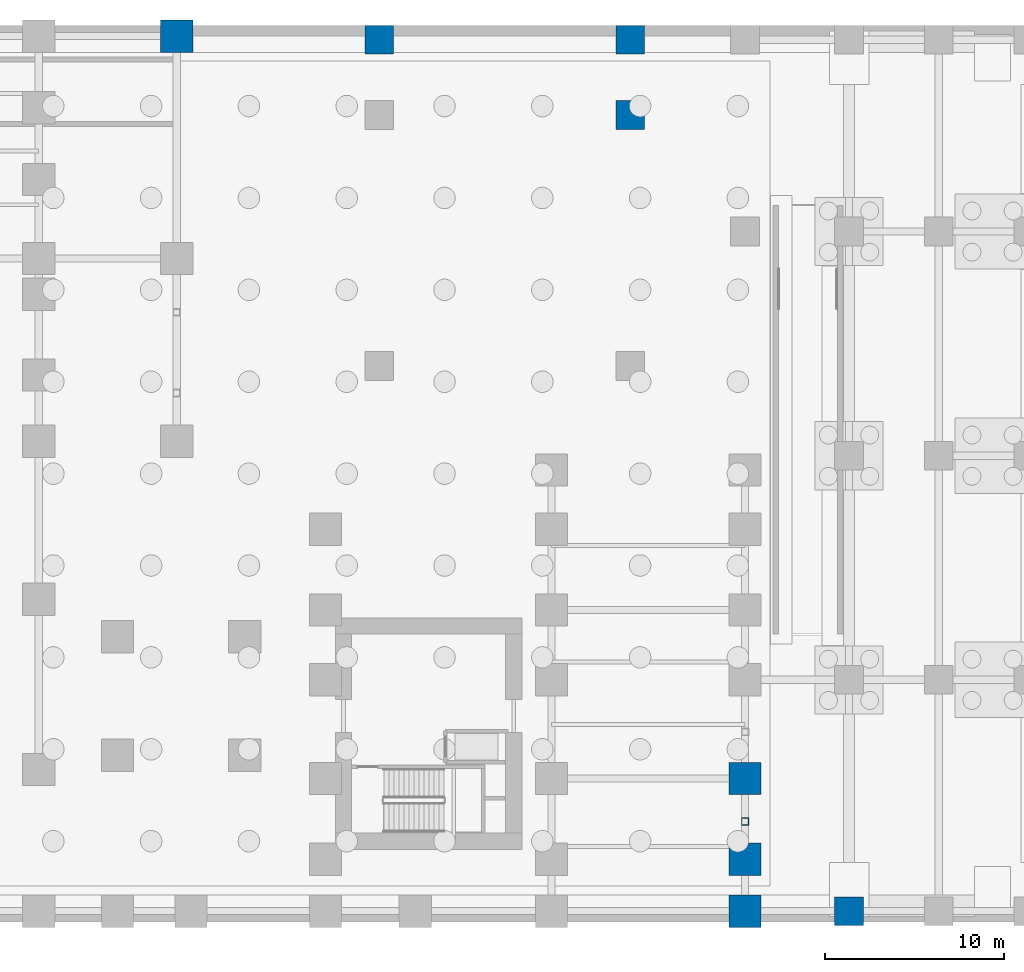
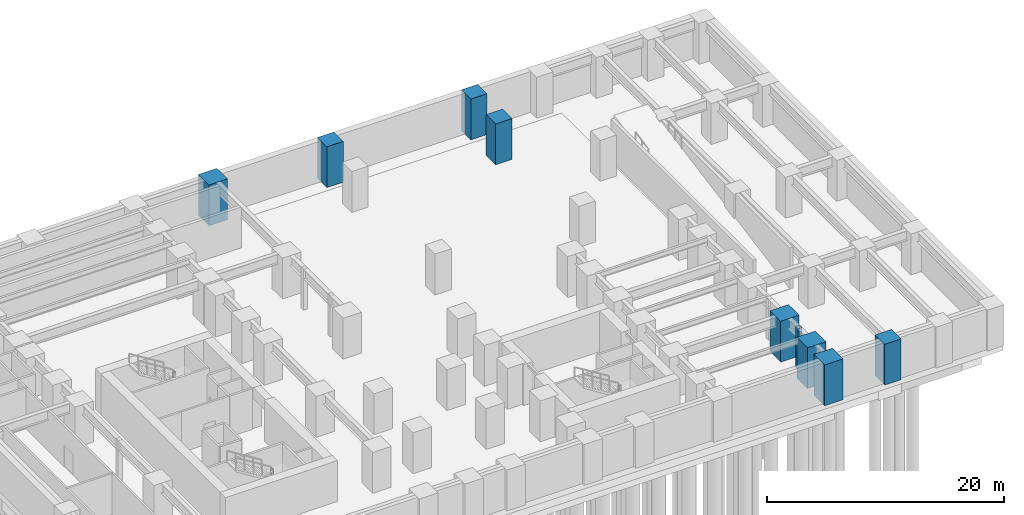
# One storey, part 6 of 15: 9 columns.
"""IFC4 building model written with IfcOpenShell, lengths in metres."""

import ifcopenshell
import ifcopenshell.guid

model = None  # the IFC model being written
_history = None  # IfcOwnerHistory: only IFC2X3 demands one
_inside = {}  # id of a spatial element -> (the spatial element, [elements in it])
_under = {}  # id of a project, library or spatial element -> (it, [spatial elements below it])
_declared = {}  # id of a project -> (the project, [libraries it declares])
_typed = {}  # id of a type object -> (the type object, [elements of that type])
_made_of = {}  # id of a material, layer set ... -> (it, [elements and type objects made of it])


def new_model(schema):
    """Start an empty IFC model of exactly this schema.

    Asked for "IFC4X3", IfcOpenShell would pick the latest addendum, in which some entities
    have other attributes; the version numbers below select the first issue.
    IFC2X3 requires an IfcOwnerHistory on every rooted entity: one is made here for all.
    """
    global model, _history
    if schema == "IFC4X3":
        model = ifcopenshell.file(schema_version=(4, 3, 0, 0))
    else:
        model = ifcopenshell.file(schema=schema)
    _inside.clear()
    _under.clear()
    _declared.clear()
    _typed.clear()
    _made_of.clear()
    _history = None
    if model.schema == "IFC2X3":
        org = make("IfcOrganization", Name="unknown")
        user = make(
            "IfcPersonAndOrganization",
            ThePerson=make("IfcPerson", FamilyName="unknown"),
            TheOrganization=org,
        )
        app = make(
            "IfcApplication",
            ApplicationDeveloper=org,
            Version="unknown",
            ApplicationFullName="unknown",
            ApplicationIdentifier="unknown",
        )
        _history = make(
            "IfcOwnerHistory",
            OwningUser=user,
            OwningApplication=app,
            ChangeAction="ADDED",
            CreationDate=0,
        )
    return model


def make(cls, **values):
    """One entity of the class cls with the attributes given. An attribute that is None is left unset."""
    return model.create_entity(
        cls, **{name: value for name, value in values.items() if value is not None}
    )


def rooted(cls, **values):
    """An entity with a GlobalId (a new one), such as an element, a storey or a relation."""
    return make(cls, GlobalId=ifcopenshell.guid.new(), OwnerHistory=_history, **values)


def si_unit(unit_type, name, prefix=None):
    """IfcSIUnit, for example si_unit("LENGTHUNIT", "METRE", prefix="MILLI")."""
    return make("IfcSIUnit", UnitType=unit_type, Prefix=prefix, Name=name)


def assignment(units):
    """IfcUnitAssignment: the units of a project."""
    return None if units is None else make("IfcUnitAssignment", Units=units)


def point(xyz):
    """IfcCartesianPoint."""
    return None if xyz is None else make("IfcCartesianPoint", Coordinates=xyz)


def direction(xyz):
    """IfcDirection."""
    return None if xyz is None else make("IfcDirection", DirectionRatios=xyz)


def frame(location, z_axis=None, x_axis=None):
    """IfcAxis2Placement3D, a coordinate frame: its origin and axes. An axis left out is left unset."""
    return make(
        "IfcAxis2Placement3D",
        Location=point(location),
        Axis=direction(z_axis),
        RefDirection=direction(x_axis),
    )


def frame_2d(location, x_axis=None):
    """IfcAxis2Placement2D, a coordinate frame in the plane: its origin and x axis."""
    return make(
        "IfcAxis2Placement2D", Location=point(location), RefDirection=direction(x_axis)
    )


def origin():
    """The frame at (0, 0, 0) with its axes left unset."""
    return frame((0.0, 0.0, 0.0))


def origin_2d():
    """The frame at (0, 0) in the plane with its x axis left unset."""
    return frame_2d((0.0, 0.0))


def place(relative_to, where):
    """IfcLocalPlacement: puts the frame where relative to a parent placement (None: the world)."""
    return make(
        "IfcLocalPlacement", PlacementRelTo=relative_to, RelativePlacement=where
    )


def context(
    kind, dimensions, precision=None, world=None, true_north=None, identifier=None
):
    """IfcGeometricRepresentationContext, for example the 3D "Model" context."""
    return make(
        "IfcGeometricRepresentationContext",
        ContextIdentifier=identifier,
        ContextType=kind,
        CoordinateSpaceDimension=dimensions,
        Precision=precision,
        WorldCoordinateSystem=world,
        TrueNorth=true_north,
    )


def subcontext(parent, identifier, kind, view, scale=None):
    """IfcGeometricRepresentationSubContext, for example "Body" below "Model"."""
    return make(
        "IfcGeometricRepresentationSubContext",
        ContextIdentifier=identifier,
        ContextType=kind,
        ParentContext=parent,
        TargetScale=scale,
        TargetView=view,
    )


def project(units=None, contexts=None):
    """IfcProject with its units and contexts."""
    return rooted(
        "IfcProject",
        Name="project",
        RepresentationContexts=contexts,
        UnitsInContext=assignment(units),
    )


def spatial(cls, under=None, at=None, **own):
    """A site, building, storey or space (cls), placed at a placement, below another one or the project."""
    s = rooted(cls, ObjectPlacement=at, **own)
    if under is not None:
        _under.setdefault(under.id(), (under, []))[1].append(s)
    return s


def profile(cls, at=None, kind="AREA", **sizes):
    """A parametric profile (cls). Its sizes go by their IFC names, for example OverallWidth=200.0."""
    return make(cls, ProfileType=kind, Position=at, **sizes)


def rectangle(**sizes):
    """IfcRectangleProfileDef."""
    return profile("IfcRectangleProfileDef", **sizes)


def hollow_rectangle(**sizes):
    """IfcRectangleHollowProfileDef."""
    return profile("IfcRectangleHollowProfileDef", **sizes)


def extrude(swept, where, along, depth):
    """IfcExtrudedAreaSolid: the profile swept, set in the frame where, extruded along a direction by depth."""
    return make(
        "IfcExtrudedAreaSolid",
        SweptArea=swept,
        Position=where,
        ExtrudedDirection=direction(along),
        Depth=depth,
    )


def shape(context_of_items, identifier, shape_type, items):
    """IfcShapeRepresentation: the items that make up one representation, for example the "Body"."""
    return make(
        "IfcShapeRepresentation",
        ContextOfItems=context_of_items,
        RepresentationIdentifier=identifier,
        RepresentationType=shape_type,
        Items=items,
    )


def source(mapping_origin, context_of_items, identifier, shape_type, items):
    """IfcRepresentationMap: a shape defined once, which mapped items show again and again."""
    return make(
        "IfcRepresentationMap",
        MappingOrigin=mapping_origin,
        MappedRepresentation=shape(context_of_items, identifier, shape_type, items),
    )


def transform(
    local_origin,
    x_axis=None,
    y_axis=None,
    z_axis=None,
    scale=None,
    scale2=None,
    scale3=None,
    uniform=True,
):
    """IfcCartesianTransformationOperator3D, or its non-uniform kind. x_axis, y_axis, z_axis: its Axis1, 2, 3."""
    if uniform:
        return make(
            "IfcCartesianTransformationOperator3D",
            Axis1=direction(x_axis),
            Axis2=direction(y_axis),
            LocalOrigin=point(local_origin),
            Scale=scale,
            Axis3=direction(z_axis),
        )
    return make(
        "IfcCartesianTransformationOperator3DnonUniform",
        Axis1=direction(x_axis),
        Axis2=direction(y_axis),
        LocalOrigin=point(local_origin),
        Scale=scale,
        Axis3=direction(z_axis),
        Scale2=scale2,
        Scale3=scale3,
    )


def mapped(mapping_source, mapping_target):
    """IfcMappedItem: shows the shape of a source again, moved by a transform."""
    return make(
        "IfcMappedItem", MappingSource=mapping_source, MappingTarget=mapping_target
    )


def material(Name=None, Category=None):
    """IfcMaterial."""
    return make("IfcMaterial", Name=Name, Category=Category)


def material_profile(
    of_material, cross_section, Name=None, Category=None, Priority=None
):
    """IfcMaterialProfile: a cross section and its material."""
    return make(
        "IfcMaterialProfile",
        Name=Name,
        Material=of_material,
        Profile=cross_section,
        Priority=Priority,
        Category=Category,
    )


def profile_set(profiles, Name=None, composite=None):
    """IfcMaterialProfileSet."""
    return make(
        "IfcMaterialProfileSet",
        Name=Name,
        MaterialProfiles=profiles,
        CompositeProfile=composite,
    )


def made_of(thing, what):
    """Note that an element or type object is made of a material, layer set ...; save() writes the relation."""
    if what is not None:
        _made_of.setdefault(what.id(), (what, []))[1].append(thing)
    return thing


def type_object(cls, material=None, **own):
    """A type object (cls), such as IfcWallType, which elements share."""
    return made_of(rooted(cls, **own), material)


def element(
    cls,
    number,
    at=None,
    inside=None,
    cuts=None,
    type_object=None,
    material=None,
    context=None,
    identifier="Body",
    shape_type=None,
    held_by="IfcProductDefinitionShape",
    body=None,
    shapes=None,
    **own,
):
    """One element of the class cls, such as IfcWall. Its Tag is "e" and its number.

    at: its placement. inside: the storey or other place that contains it. cuts: it is an
    opening in that element (IfcRelVoidsElement). A single representation is given by context,
    identifier, shape_type and body (its items); several are given by shapes. held_by: the class
    of the entity that holds the representations. save() writes the other relations.
    """
    e = rooted(cls, Tag="e%d" % number, ObjectPlacement=at, **own)
    if body is not None:
        shapes = [shape(context, identifier, shape_type, body)]
    if shapes is not None:
        e.Representation = make(held_by, Representations=shapes)
    if inside is not None:
        _inside.setdefault(inside.id(), (inside, []))[1].append(e)
    if cuts is not None:
        rooted(
            "IfcRelVoidsElement", RelatingBuildingElement=cuts, RelatedOpeningElement=e
        )
    if type_object is not None:
        _typed.setdefault(type_object.id(), (type_object, []))[1].append(e)
    return made_of(e, material)


def aggregate(whole, parts):
    """IfcRelAggregates: a whole, such as a stair, and the parts it consists of."""
    return rooted("IfcRelAggregates", RelatingObject=whole, RelatedObjects=parts)


def save(model, path):
    """Write the relations noted so far, then the file.

    IfcRelAggregates (storeys below a building ...), IfcRelContainedInSpatialStructure (elements
    in a storey), IfcRelDefinesByType, IfcRelAssociatesMaterial and IfcRelDeclares: one each for
    every whole, place, type object, material and project.
    """
    for whole, parts in _under.values():
        aggregate(whole, parts)
    for where, things in _inside.values():
        rooted(
            "IfcRelContainedInSpatialStructure",
            RelatedElements=things,
            RelatingStructure=where,
        )
    for kind, things in _typed.values():
        rooted("IfcRelDefinesByType", RelatedObjects=things, RelatingType=kind)
    for what, things in _made_of.values():
        rooted("IfcRelAssociatesMaterial", RelatedObjects=things, RelatingMaterial=what)
    for by, libraries in _declared.values():
        rooted("IfcRelDeclares", RelatingContext=by, RelatedDefinitions=libraries)
    model.write(path)


model = new_model("IFC4")

# Units and contexts
model_context = context("Model", 3, precision=1e-05, world=origin(), true_north=direction((0.0, 1.0)))
body_context = subcontext(model_context, "Body", "Model", "MODEL_VIEW")
ifc_project = project(units=[si_unit("LENGTHUNIT", "METRE"), si_unit("AREAUNIT", "SQUARE_METRE"), si_unit("VOLUMEUNIT", "CUBIC_METRE"), si_unit("PLANEANGLEUNIT", "RADIAN"), si_unit("MASSUNIT", "GRAM", prefix="KILO")], contexts=[model_context])

# Site, building, storey
site_placement = place(None, origin())
site = spatial("IfcSite", under=ifc_project, at=site_placement, CompositionType="ELEMENT")
building_placement = place(site_placement, origin())
building = spatial("IfcBuilding", under=site, at=building_placement, Name="Kharzan Plaza Tower", CompositionType="ELEMENT")
storey_placement = place(building_placement, frame((0.0, 0.0, -9.0)))
storey = spatial("IfcBuildingStorey", under=building, at=storey_placement, Name="B02", CompositionType="ELEMENT", Elevation=-9.0)

# Columns
ifc_material_1 = material(Name="Concrete C60/75", Category="concrete")
ifc_material_profile_1 = material_profile(ifc_material_1, rectangle(XDim=1.60009765625, YDim=1.60009765625, at=origin_2d()), Name="RC-MC1600x1600")
ifc_profile_set_1 = profile_set([ifc_material_profile_1], Name="Concrete C60/75")
column_type_1 = type_object("IfcColumnType", Name="COL-BC1600", PredefinedType="COLUMN", material=ifc_profile_set_1)
shared_shape_1 = source(origin(), body_context, "Body", "SweptSolid", [
    extrude(rectangle(XDim=1.60009765625, YDim=1.60009765625, at=origin_2d()), origin(), (0.0, 0.0, 1.0), 4.199951171875),
])
for number, where, z_axis, x_axis, name in (
    (1, (52.0, 45.0, 0.0), (0.0, 0.0, 1.0), (1.0, 0.0, 0.0), "B02 Structural Column BC06"),
    (2, (64.199951171875, 0.60009765625, 0.0), (0.0, 0.0, 1.0), (1.0, 0.0, 0.0), "B02 Structural Column BC09"),
    (3, (38.0, 49.199951171875, 0.0), (0.0, 0.0, 1.0), (1.0, 0.0, 0.0), "B02 Structural Column BC24"),
    (4, (52.0, 49.199951171875, 0.0), (0.0, 0.0, 1.0), (1.0, 0.0, 0.0), "B02 Structural Column BC25"),
):
    element("IfcColumn", number, at=place(storey_placement, frame(where, z_axis=z_axis, x_axis=x_axis)), inside=storey, type_object=column_type_1, Name=name, PredefinedType="COLUMN", context=body_context, shape_type="MappedRepresentation", body=[
        mapped(shared_shape_1, transform((0.0, 0.0, 0.0), x_axis=(1.0, 0.0, 0.0), y_axis=(0.0, 1.0, 0.0), z_axis=(0.0, 0.0, 1.0))),
    ])
ifc_material_profile_2 = material_profile(ifc_material_1, rectangle(XDim=1.800048828125, YDim=1.800048828125, at=origin_2d()), Name="RC-MC1800x1800")
ifc_profile_set_2 = profile_set([ifc_material_profile_2], Name="Concrete C60/75")
column_type_2 = type_object("IfcColumnType", Name="COL-MC1800", PredefinedType="COLUMN", material=ifc_profile_set_2)
shared_shape_2 = source(origin(), body_context, "Body", "SweptSolid", [
    extrude(rectangle(XDim=1.800048828125, YDim=1.800048828125, at=origin_2d()), origin(), (0.0, 0.0, 1.0), 4.199951171875),
])
for number, where, z_axis, x_axis, name in (
    (5, (58.39990234375, 0.60009765625, 0.0), (0.0, 0.0, 1.0), (1.0, 0.0, 0.0), "B02 Podium Mega-Column MC19"),
    (6, (26.699951171875, 49.39990234375, 0.0), (0.0, 0.0, 1.0), (1.0, 0.0, 0.0), "B02 Podium Mega-Column MC22"),
    (7, (58.39990234375, 3.5, 0.0), (0.0, 0.0, 1.0), (1.0, 0.0, 0.0), "B02 Podium Mega-Column MC25"),
    (8, (58.39990234375, 8.0, 0.0), (0.0, 0.0, 1.0), (1.0, 0.0, 0.0), "B02 Podium Mega-Column MC26"),
):
    element("IfcColumn", number, at=place(storey_placement, frame(where, z_axis=z_axis, x_axis=x_axis)), inside=storey, type_object=column_type_2, Name=name, PredefinedType="COLUMN", context=body_context, shape_type="MappedRepresentation", body=[
        mapped(shared_shape_2, transform((0.0, 0.0, 0.0), x_axis=(1.0, 0.0, 0.0), y_axis=(0.0, 1.0, 0.0), z_axis=(0.0, 0.0, 1.0))),
    ])
ifc_material_2 = material(Name="Steel S355", Category="steel")
ifc_material_profile_3 = material_profile(ifc_material_2, hollow_rectangle(XDim=0.39990234375, YDim=0.39990234375, WallThickness=0.02001953125, at=origin_2d()), Name="SHS400x400x20")
ifc_profile_set_3 = profile_set([ifc_material_profile_3], Name="Steel S355")
column_type_3 = type_object("IfcColumnType", Name="COL-PIL400", PredefinedType="PILASTER", material=ifc_profile_set_3)
shared_shape_3 = source(origin(), body_context, "Body", "SweptSolid", [
    extrude(hollow_rectangle(XDim=0.39990234375, YDim=0.39990234375, WallThickness=0.02001953125, at=origin_2d()), origin(), (0.0, 0.0, 1.0), 4.199951171875),
])
column_placement = place(storey_placement, frame((58.39990234375, 5.60009765625, 0.0), z_axis=(0.0, 0.0, 1.0), x_axis=(1.0, 0.0, 0.0)))
element("IfcColumn", 9, at=column_placement, inside=storey, type_object=column_type_3, Name="B02 Portal Steel Pilaster 5", PredefinedType="PILASTER", context=body_context, shape_type="MappedRepresentation", body=[
    mapped(shared_shape_3, transform((0.0, 0.0, 0.0), x_axis=(1.0, 0.0, 0.0), y_axis=(0.0, 1.0, 0.0), z_axis=(0.0, 0.0, 1.0))),
])

save(model, "model.ifc")
